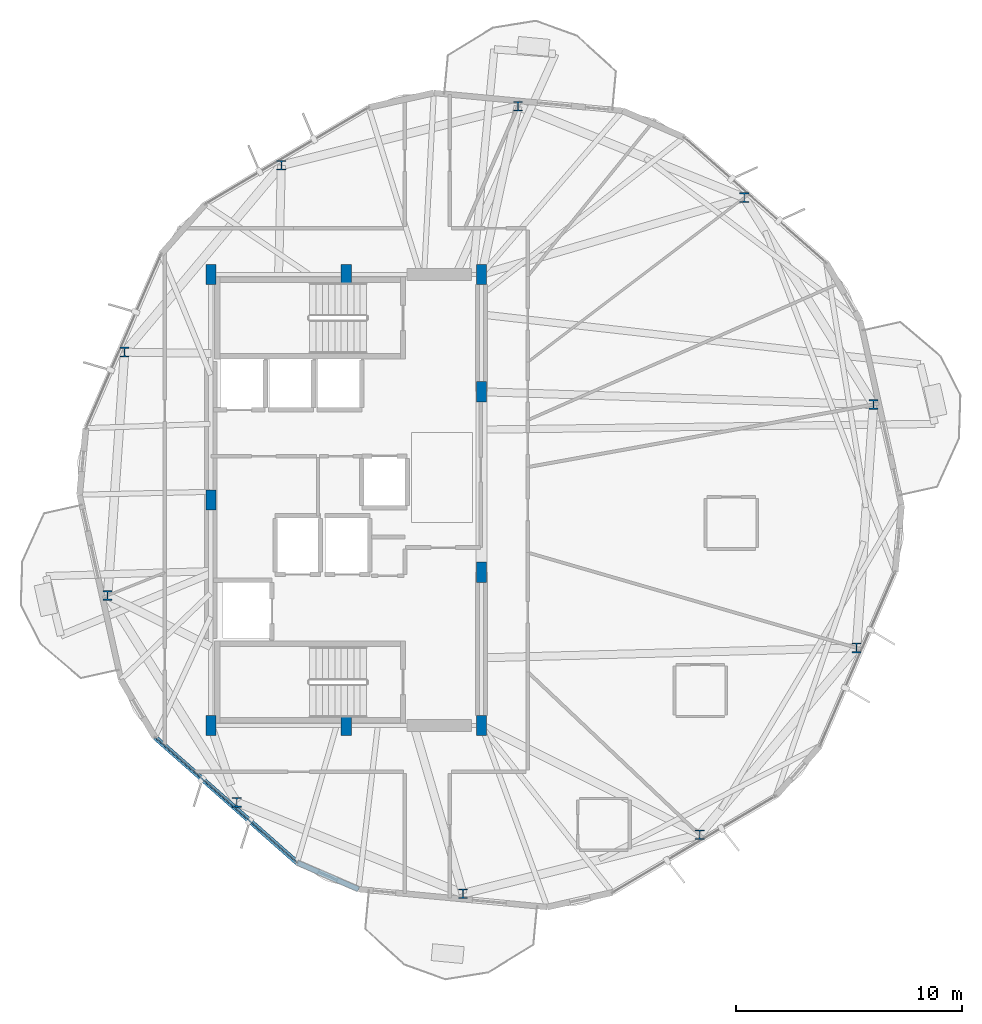
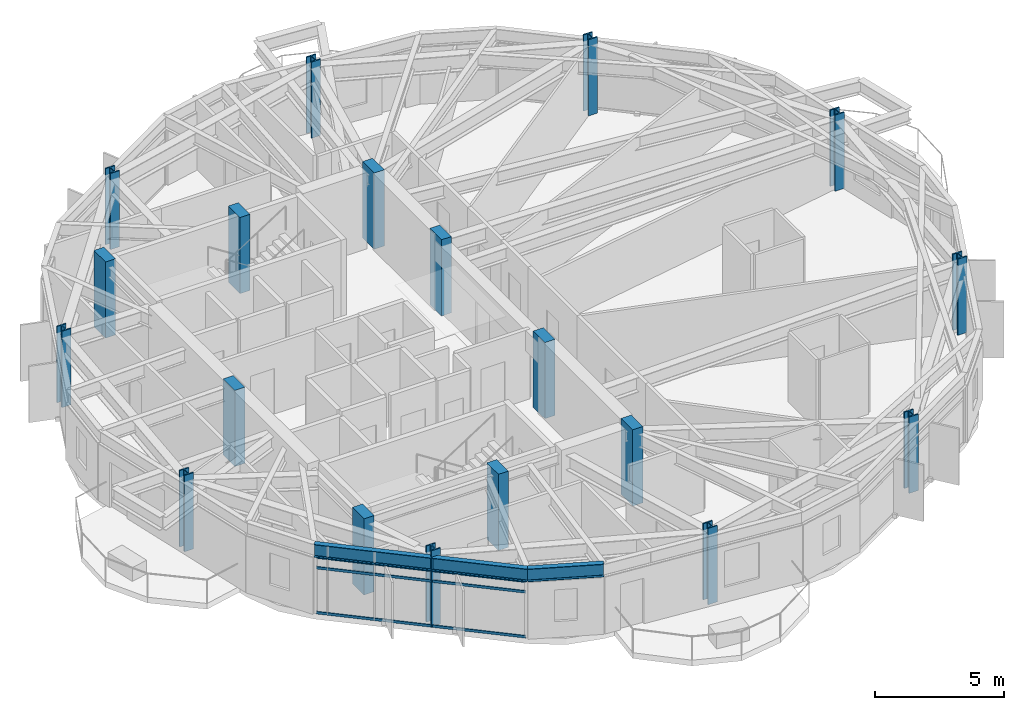
# One storey, part 1 of 21: 19 columns, 3 members, 2 beams, 1 element without a shape of its own.
"""IFC4 building model written with IfcOpenShell, lengths in metres."""

import ifcopenshell
import ifcopenshell.guid

model = None  # the IFC model being written
_history = None  # IfcOwnerHistory: only IFC2X3 demands one
_inside = {}  # id of a spatial element -> (the spatial element, [elements in it])
_under = {}  # id of a project, library or spatial element -> (it, [spatial elements below it])
_declared = {}  # id of a project -> (the project, [libraries it declares])
_typed = {}  # id of a type object -> (the type object, [elements of that type])
_made_of = {}  # id of a material, layer set ... -> (it, [elements and type objects made of it])


def new_model(schema):
    """Start an empty IFC model of exactly this schema.

    Asked for "IFC4X3", IfcOpenShell would pick the latest addendum, in which some entities
    have other attributes; the version numbers below select the first issue.
    IFC2X3 requires an IfcOwnerHistory on every rooted entity: one is made here for all.
    """
    global model, _history
    if schema == "IFC4X3":
        model = ifcopenshell.file(schema_version=(4, 3, 0, 0))
    else:
        model = ifcopenshell.file(schema=schema)
    _inside.clear()
    _under.clear()
    _declared.clear()
    _typed.clear()
    _made_of.clear()
    _history = None
    if model.schema == "IFC2X3":
        org = make("IfcOrganization", Name="unknown")
        user = make(
            "IfcPersonAndOrganization",
            ThePerson=make("IfcPerson", FamilyName="unknown"),
            TheOrganization=org,
        )
        app = make(
            "IfcApplication",
            ApplicationDeveloper=org,
            Version="unknown",
            ApplicationFullName="unknown",
            ApplicationIdentifier="unknown",
        )
        _history = make(
            "IfcOwnerHistory",
            OwningUser=user,
            OwningApplication=app,
            ChangeAction="ADDED",
            CreationDate=0,
        )
    return model


def make(cls, **values):
    """One entity of the class cls with the attributes given. An attribute that is None is left unset."""
    return model.create_entity(
        cls, **{name: value for name, value in values.items() if value is not None}
    )


def rooted(cls, **values):
    """An entity with a GlobalId (a new one), such as an element, a storey or a relation."""
    return make(cls, GlobalId=ifcopenshell.guid.new(), OwnerHistory=_history, **values)


def si_unit(unit_type, name, prefix=None):
    """IfcSIUnit, for example si_unit("LENGTHUNIT", "METRE", prefix="MILLI")."""
    return make("IfcSIUnit", UnitType=unit_type, Prefix=prefix, Name=name)


def assignment(units):
    """IfcUnitAssignment: the units of a project."""
    return None if units is None else make("IfcUnitAssignment", Units=units)


def point(xyz):
    """IfcCartesianPoint."""
    return None if xyz is None else make("IfcCartesianPoint", Coordinates=xyz)


def direction(xyz):
    """IfcDirection."""
    return None if xyz is None else make("IfcDirection", DirectionRatios=xyz)


def frame(location, z_axis=None, x_axis=None):
    """IfcAxis2Placement3D, a coordinate frame: its origin and axes. An axis left out is left unset."""
    return make(
        "IfcAxis2Placement3D",
        Location=point(location),
        Axis=direction(z_axis),
        RefDirection=direction(x_axis),
    )


def frame_2d(location, x_axis=None):
    """IfcAxis2Placement2D, a coordinate frame in the plane: its origin and x axis."""
    return make(
        "IfcAxis2Placement2D", Location=point(location), RefDirection=direction(x_axis)
    )


def origin():
    """The frame at (0, 0, 0) with its axes left unset."""
    return frame((0.0, 0.0, 0.0))


def origin_2d():
    """The frame at (0, 0) in the plane with its x axis left unset."""
    return frame_2d((0.0, 0.0))


def place(relative_to, where):
    """IfcLocalPlacement: puts the frame where relative to a parent placement (None: the world)."""
    return make(
        "IfcLocalPlacement", PlacementRelTo=relative_to, RelativePlacement=where
    )


def context(
    kind, dimensions, precision=None, world=None, true_north=None, identifier=None
):
    """IfcGeometricRepresentationContext, for example the 3D "Model" context."""
    return make(
        "IfcGeometricRepresentationContext",
        ContextIdentifier=identifier,
        ContextType=kind,
        CoordinateSpaceDimension=dimensions,
        Precision=precision,
        WorldCoordinateSystem=world,
        TrueNorth=true_north,
    )


def subcontext(parent, identifier, kind, view, scale=None):
    """IfcGeometricRepresentationSubContext, for example "Body" below "Model"."""
    return make(
        "IfcGeometricRepresentationSubContext",
        ContextIdentifier=identifier,
        ContextType=kind,
        ParentContext=parent,
        TargetScale=scale,
        TargetView=view,
    )


def project(units=None, contexts=None):
    """IfcProject with its units and contexts."""
    return rooted(
        "IfcProject",
        Name="project",
        RepresentationContexts=contexts,
        UnitsInContext=assignment(units),
    )


def spatial(cls, under=None, at=None, **own):
    """A site, building, storey or space (cls), placed at a placement, below another one or the project."""
    s = rooted(cls, ObjectPlacement=at, **own)
    if under is not None:
        _under.setdefault(under.id(), (under, []))[1].append(s)
    return s


def profile(cls, at=None, kind="AREA", **sizes):
    """A parametric profile (cls). Its sizes go by their IFC names, for example OverallWidth=200.0."""
    return make(cls, ProfileType=kind, Position=at, **sizes)


def rectangle(**sizes):
    """IfcRectangleProfileDef."""
    return profile("IfcRectangleProfileDef", **sizes)


def hollow_rectangle(**sizes):
    """IfcRectangleHollowProfileDef."""
    return profile("IfcRectangleHollowProfileDef", **sizes)


def i_section(**sizes):
    """IfcIShapeProfileDef."""
    return profile("IfcIShapeProfileDef", **sizes)


def extrude(swept, where, along, depth):
    """IfcExtrudedAreaSolid: the profile swept, set in the frame where, extruded along a direction by depth."""
    return make(
        "IfcExtrudedAreaSolid",
        SweptArea=swept,
        Position=where,
        ExtrudedDirection=direction(along),
        Depth=depth,
    )


def shape(context_of_items, identifier, shape_type, items):
    """IfcShapeRepresentation: the items that make up one representation, for example the "Body"."""
    return make(
        "IfcShapeRepresentation",
        ContextOfItems=context_of_items,
        RepresentationIdentifier=identifier,
        RepresentationType=shape_type,
        Items=items,
    )


def material(Name=None, Category=None):
    """IfcMaterial."""
    return make("IfcMaterial", Name=Name, Category=Category)


def layer(
    of_material, thickness, ventilated=None, Name=None, Category=None, Priority=None
):
    """IfcMaterialLayer: one layer of a wall or slab, of a material (None: an air gap)."""
    return make(
        "IfcMaterialLayer",
        Material=of_material,
        LayerThickness=thickness,
        IsVentilated=ventilated,
        Name=Name,
        Category=Category,
        Priority=Priority,
    )


def layer_set(layers, Name=None):
    """IfcMaterialLayerSet."""
    return make("IfcMaterialLayerSet", MaterialLayers=layers, LayerSetName=Name)


def material_profile(
    of_material, cross_section, Name=None, Category=None, Priority=None
):
    """IfcMaterialProfile: a cross section and its material."""
    return make(
        "IfcMaterialProfile",
        Name=Name,
        Material=of_material,
        Profile=cross_section,
        Priority=Priority,
        Category=Category,
    )


def profile_set(profiles, Name=None, composite=None):
    """IfcMaterialProfileSet."""
    return make(
        "IfcMaterialProfileSet",
        Name=Name,
        MaterialProfiles=profiles,
        CompositeProfile=composite,
    )


def made_of(thing, what):
    """Note that an element or type object is made of a material, layer set ...; save() writes the relation."""
    if what is not None:
        _made_of.setdefault(what.id(), (what, []))[1].append(thing)
    return thing


def type_object(cls, material=None, **own):
    """A type object (cls), such as IfcWallType, which elements share."""
    return made_of(rooted(cls, **own), material)


def element(
    cls,
    number,
    at=None,
    inside=None,
    cuts=None,
    type_object=None,
    material=None,
    context=None,
    identifier="Body",
    shape_type=None,
    held_by="IfcProductDefinitionShape",
    body=None,
    shapes=None,
    **own,
):
    """One element of the class cls, such as IfcWall. Its Tag is "e" and its number.

    at: its placement. inside: the storey or other place that contains it. cuts: it is an
    opening in that element (IfcRelVoidsElement). A single representation is given by context,
    identifier, shape_type and body (its items); several are given by shapes. held_by: the class
    of the entity that holds the representations. save() writes the other relations.
    """
    e = rooted(cls, Tag="e%d" % number, ObjectPlacement=at, **own)
    if body is not None:
        shapes = [shape(context, identifier, shape_type, body)]
    if shapes is not None:
        e.Representation = make(held_by, Representations=shapes)
    if inside is not None:
        _inside.setdefault(inside.id(), (inside, []))[1].append(e)
    if cuts is not None:
        rooted(
            "IfcRelVoidsElement", RelatingBuildingElement=cuts, RelatedOpeningElement=e
        )
    if type_object is not None:
        _typed.setdefault(type_object.id(), (type_object, []))[1].append(e)
    return made_of(e, material)


def aggregate(whole, parts):
    """IfcRelAggregates: a whole, such as a stair, and the parts it consists of."""
    return rooted("IfcRelAggregates", RelatingObject=whole, RelatedObjects=parts)


def save(model, path):
    """Write the relations noted so far, then the file.

    IfcRelAggregates (storeys below a building ...), IfcRelContainedInSpatialStructure (elements
    in a storey), IfcRelDefinesByType, IfcRelAssociatesMaterial and IfcRelDeclares: one each for
    every whole, place, type object, material and project.
    """
    for whole, parts in _under.values():
        aggregate(whole, parts)
    for where, things in _inside.values():
        rooted(
            "IfcRelContainedInSpatialStructure",
            RelatedElements=things,
            RelatingStructure=where,
        )
    for kind, things in _typed.values():
        rooted("IfcRelDefinesByType", RelatedObjects=things, RelatingType=kind)
    for what, things in _made_of.values():
        rooted("IfcRelAssociatesMaterial", RelatedObjects=things, RelatingMaterial=what)
    for by, libraries in _declared.values():
        rooted("IfcRelDeclares", RelatingContext=by, RelatedDefinitions=libraries)
    model.write(path)


model = new_model("IFC4")

# Units and contexts
model_context = context("Model", 3, precision=1e-05, world=origin(), true_north=direction((0.0, 1.0)))
body_context = subcontext(model_context, "Body", "Model", "MODEL_VIEW")
ifc_project = project(units=[si_unit("LENGTHUNIT", "METRE"), si_unit("AREAUNIT", "SQUARE_METRE"), si_unit("VOLUMEUNIT", "CUBIC_METRE"), si_unit("PLANEANGLEUNIT", "RADIAN"), si_unit("MASSUNIT", "GRAM", prefix="KILO")], contexts=[model_context])

# Site, building, storey
site_placement = place(None, origin())
site = spatial("IfcSite", under=ifc_project, at=site_placement, CompositionType="ELEMENT")
building_placement = place(site_placement, origin())
building = spatial("IfcBuilding", under=site, at=building_placement, Name="Soratama Intermodal Tower", CompositionType="ELEMENT")
storey_placement = place(building_placement, frame((0.0, 0.0, 146.199951171875)))
storey = spatial("IfcBuildingStorey", under=building, at=storey_placement, Name="L35", CompositionType="ELEMENT", Elevation=146.199951171875)

# Columns
ifc_material_1 = material(Name="Structural steel ASTM A992 Grade 50", Category="steel")
ifc_material_profile_1 = material_profile(ifc_material_1, i_section(OverallWidth=0.412109375, OverallDepth=0.43505859375, WebThickness=0.035888671875, FlangeThickness=0.057373046875, FilletRadius=0.0380859375, at=origin_2d()), Name="W14X311")
ifc_profile_set_1 = profile_set([ifc_material_profile_1], Name="Structural steel ASTM A992 Grade 50")
column_type_1 = type_object("IfcColumnType", Name="COL-ZC-W14X311", PredefinedType="COLUMN", material=ifc_profile_set_1)
for number, where, z_axis, x_axis, name in (
    (1, (61.980224609375, 29.233642578125, 0.0), (0.0, 0.0, 1.0), (1.0, 0.0, 0.0), "L35 Tower Ring Column R01"),
    (2, (56.248779296875, 38.40576171875, 0.0), (0.0, 0.0, 1.0), (1.0, 0.0, 0.0), "L35 Tower Ring Column R02"),
    (3, (46.220703125, 42.45751953125, 0.0), (0.0, 0.0, 1.0), (1.0, 0.0, 0.0), "L35 Tower Ring Column R03"),
    (4, (35.726318359375, 39.8408203125, 0.0), (0.0, 0.0, 1.0), (1.0, 0.0, 0.0), "L35 Tower Ring Column R04"),
    (5, (28.7744140625, 31.5556640625, 0.0), (0.0, 0.0, 1.0), (1.0, 0.0, 0.0), "L35 Tower Ring Column R05"),
    (6, (28.019775390625, 20.766357421875, 0.0), (0.0, 0.0, 1.0), (1.0, 0.0, 0.0), "L35 Tower Ring Column R06"),
    (7, (33.751220703125, 11.59423828125, 0.0), (0.0, 0.0, 1.0), (1.0, 0.0, 0.0), "L35 Tower Ring Column R07"),
    (8, (43.779296875, 7.54248046875, 0.0), (0.0, 0.0, 1.0), (1.0, 0.0, 0.0), "L35 Tower Ring Column R08"),
    (9, (54.273681640625, 10.1591796875, 0.0), (0.0, 0.0, 1.0), (1.0, 0.0, 0.0), "L35 Tower Ring Column R09"),
    (10, (61.2255859375, 18.4443359375, 0.0), (0.0, 0.0, 1.0), (1.0, 0.0, 0.0), "L35 Tower Ring Column R10"),
):
    element("IfcColumn", number, at=place(storey_placement, frame(where, z_axis=z_axis, x_axis=x_axis)), inside=storey, type_object=column_type_1, Name=name, PredefinedType="COLUMN", context=body_context, shape_type="SweptSolid", body=[
        extrude(i_section(OverallWidth=0.412109375, OverallDepth=0.43505859375, WebThickness=0.035888671875, FlangeThickness=0.057373046875, FilletRadius=0.0380859375, at=origin_2d()), origin(), (0.0, 0.0, 1.0), 3.60009765625),
    ])
ifc_material_2 = material(Name="Concrete f'c 56 MPa", Category="concrete")
ifc_material_profile_2 = material_profile(ifc_material_2, rectangle(XDim=0.449951171875, YDim=0.89990234375, at=origin_2d()), Name="RC450X900")
ifc_profile_set_2 = profile_set([ifc_material_profile_2], Name="Concrete f'c 56 MPa")
column_type_2 = type_object("IfcColumnType", Name="PIL-CORE-450X900", PredefinedType="PILASTER", material=ifc_profile_set_2)
for number, where, z_axis, x_axis, name in (
    (11, (32.60009765625, 15.0, 0.0), (0.0, 0.0, 1.0), (1.0, 0.0, 0.0), "L35 Core Pilaster 1"),
    (12, (32.60009765625, 25.0, 0.0), (0.0, 0.0, 1.0), (1.0, 0.0, 0.0), "L35 Core Pilaster 2"),
    (13, (32.60009765625, 35.0, 0.0), (0.0, 0.0, 1.0), (1.0, 0.0, 0.0), "L35 Core Pilaster 3"),
    (14, (38.60009765625, 15.0, 0.0), (0.0, 0.0, 1.0), (1.0, 0.0, 0.0), "L35 Core Pilaster 4"),
    (15, (38.60009765625, 35.0, 0.0), (0.0, 0.0, 1.0), (1.0, 0.0, 0.0), "L35 Core Pilaster 5"),
    (16, (44.60009765625, 15.0, 0.0), (0.0, 0.0, 1.0), (1.0, 0.0, 0.0), "L35 Core Pilaster 6"),
    (17, (44.60009765625, 21.800048828125, 0.0), (0.0, 0.0, 1.0), (1.0, 0.0, 0.0), "L35 Core Pilaster 7"),
    (18, (44.60009765625, 29.800048828125, 0.0), (0.0, 0.0, 1.0), (1.0, 0.0, 0.0), "L35 Core Pilaster 8"),
    (19, (44.60009765625, 35.0, 0.0), (0.0, 0.0, 1.0), (1.0, 0.0, 0.0), "L35 Core Pilaster 9"),
):
    element("IfcColumn", number, at=place(storey_placement, frame(where, z_axis=z_axis, x_axis=x_axis)), inside=storey, type_object=column_type_2, Name=name, PredefinedType="PILASTER", context=body_context, shape_type="SweptSolid", body=[
        extrude(rectangle(XDim=0.449951171875, YDim=0.89990234375, at=origin_2d()), origin(), (0.0, 0.0, 1.0), 3.60009765625),
    ])

# Beams
ifc_material_3 = material(Name="Structural steel ASTM A992 Grade 50", Category="steel")
ifc_material_profile_3 = material_profile(ifc_material_3, i_section(OverallWidth=0.22900390625, OverallDepth=0.612060546875, WebThickness=0.011962890625, FlangeThickness=0.01953125, FilletRadius=0.012939453125, at=origin_2d()), Name="W24X84")
ifc_profile_set_3 = profile_set([ifc_material_profile_3], Name="Structural steel ASTM A992 Grade 50")
beam_type = type_object("IfcBeamType", Name="BM-SPN-W24X84", PredefinedType="SPANDREL", material=ifc_profile_set_3)
beam_1_placement = place(storey_placement, frame((30.1201171875, 14.47705078125, 2.994140625), z_axis=(0.750079373657, -0.661347815612, 0.0), x_axis=(0.661347815612, 0.750079373657, 0.0)))
element("IfcBeam", 20, at=beam_1_placement, inside=storey, type_object=beam_type, Name="BS-L35-F06", PredefinedType="SPANDREL", context=body_context, shape_type="SweptSolid", body=[
    extrude(i_section(OverallWidth=0.22900390625, OverallDepth=0.612060546875, WebThickness=0.011962890625, FlangeThickness=0.01953125, FilletRadius=0.012939453125, at=origin_2d()), origin(), (0.0, 0.0, 1.0), 8.40576171875),
])
beam_2_placement = place(storey_placement, frame((36.425048828125, 8.91796875, 2.994140625), z_axis=(0.917742717775, -0.397175407056, 0.0), x_axis=(0.397175407056, 0.917742717775, 0.0)))
element("IfcBeam", 21, at=beam_2_placement, inside=storey, type_object=beam_type, Name="BS-L35-CRN06", PredefinedType="SPANDREL", context=body_context, shape_type="SweptSolid", body=[
    extrude(i_section(OverallWidth=0.22900390625, OverallDepth=0.612060546875, WebThickness=0.011962890625, FlangeThickness=0.01953125, FilletRadius=0.012939453125, at=origin_2d()), origin(), (0.0, 0.0, 1.0), 2.9658203125),
])

# Curtain wall, members
ifc_material_4 = material(Name="Double-glazed aluminium curtain wall", Category="aluminium")
ifc_layer = layer(ifc_material_4, 0.159912109375)
ifc_layer_set = layer_set([ifc_layer], Name="Double-glazed aluminium curtain wall")
curtain_wall_type = type_object("IfcCurtainWallType", Name="CW-SYS-4", PredefinedType="NOTDEFINED", material=ifc_layer_set)
curtain_wall_placement = place(storey_placement, origin())
curtain_wall = element("IfcCurtainWall", 22, at=curtain_wall_placement, inside=storey, type_object=curtain_wall_type, Name="L35 Faceted Curtain Wall F06", PredefinedType="NOTDEFINED")
ifc_material_5 = material(Name="Anodised aluminium AA 6063-T6", Category="aluminium")
ifc_material_profile_4 = material_profile(ifc_material_5, hollow_rectangle(XDim=0.06005859375, YDim=0.1298828125, WallThickness=0.0048828125, InnerFilletRadius=0.0048828125, OuterFilletRadius=0.010009765625, at=origin_2d()), Name="CWT130X60X5")
ifc_profile_set_4 = profile_set([ifc_material_profile_4], Name="Anodised aluminium AA 6063-T6")
member_type = type_object("IfcMemberType", Name="TT-CWT-2", PredefinedType="USERDEFINED", material=ifc_profile_set_4)
member_1_placement = place(storey_placement, frame((30.1650390625, 14.43701171875, 0.030029296875), z_axis=(0.750105241039, -0.661318476504, 0.0), x_axis=(0.661318476504, 0.750105241039, 0.0)))
member_1 = element("IfcMember", 23, at=member_1_placement, type_object=member_type, Name="CW-4 transom 1.1", ObjectType="TRANSOM", PredefinedType="USERDEFINED", context=body_context, shape_type="SweptSolid", body=[
    extrude(hollow_rectangle(XDim=0.06005859375, YDim=0.1298828125, WallThickness=0.0048828125, InnerFilletRadius=0.0048828125, OuterFilletRadius=0.010009765625, at=origin_2d()), origin(), (0.0, 0.0, 1.0), 8.284912109375),
])
member_2_placement = place(storey_placement, frame((30.1650390625, 14.43701171875, 2.150146484375), z_axis=(0.750105241039, -0.661318476504, 0.0), x_axis=(0.661318476504, 0.750105241039, 0.0)))
member_2 = element("IfcMember", 24, at=member_2_placement, type_object=member_type, Name="CW-4 transom 1.2", ObjectType="TRANSOM", PredefinedType="USERDEFINED", context=body_context, shape_type="SweptSolid", body=[
    extrude(hollow_rectangle(XDim=0.06005859375, YDim=0.1298828125, WallThickness=0.0048828125, InnerFilletRadius=0.0048828125, OuterFilletRadius=0.010009765625, at=origin_2d()), origin(), (0.0, 0.0, 1.0), 8.284912109375),
])
member_3_placement = place(storey_placement, frame((30.1650390625, 14.43701171875, 2.649169921875), z_axis=(0.750105241039, -0.661318476504, 0.0), x_axis=(0.661318476504, 0.750105241039, 0.0)))
member_3 = element("IfcMember", 25, at=member_3_placement, type_object=member_type, Name="CW-4 transom 1.3", ObjectType="TRANSOM", PredefinedType="USERDEFINED", context=body_context, shape_type="SweptSolid", body=[
    extrude(hollow_rectangle(XDim=0.06005859375, YDim=0.1298828125, WallThickness=0.0048828125, InnerFilletRadius=0.0048828125, OuterFilletRadius=0.010009765625, at=origin_2d()), origin(), (0.0, 0.0, 1.0), 8.284912109375),
])
aggregate(curtain_wall, [member_1, member_2, member_3])

save(model, "model.ifc")
